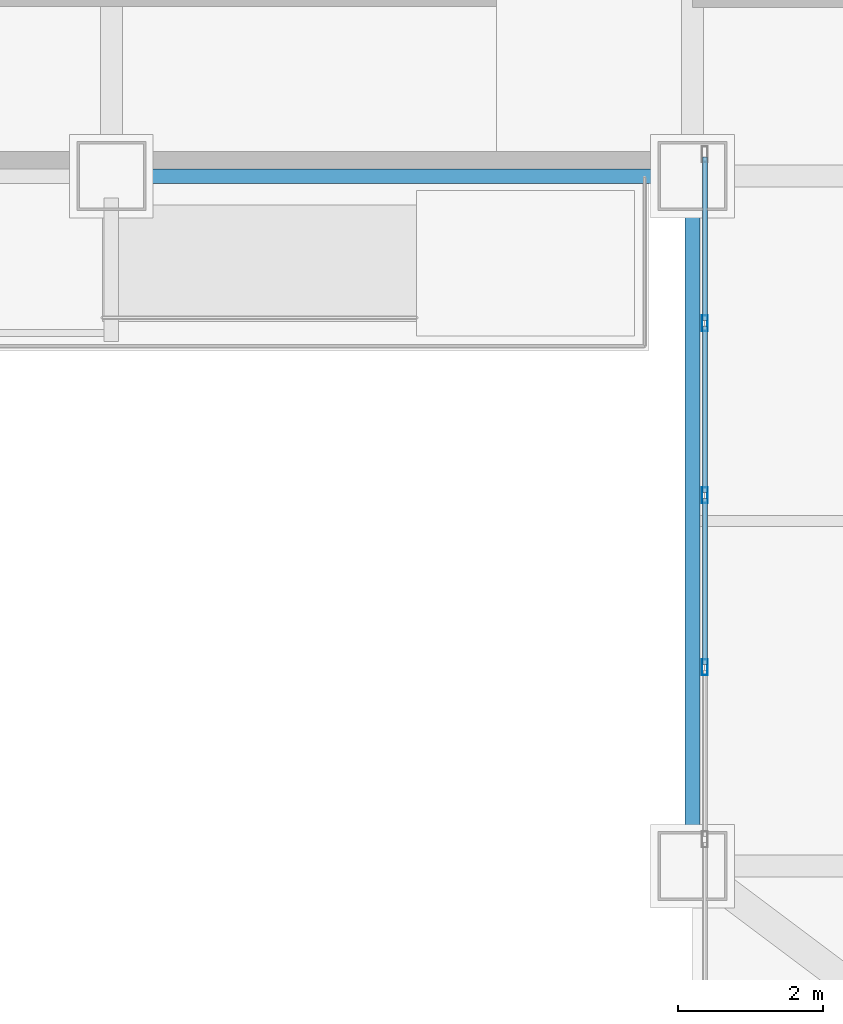
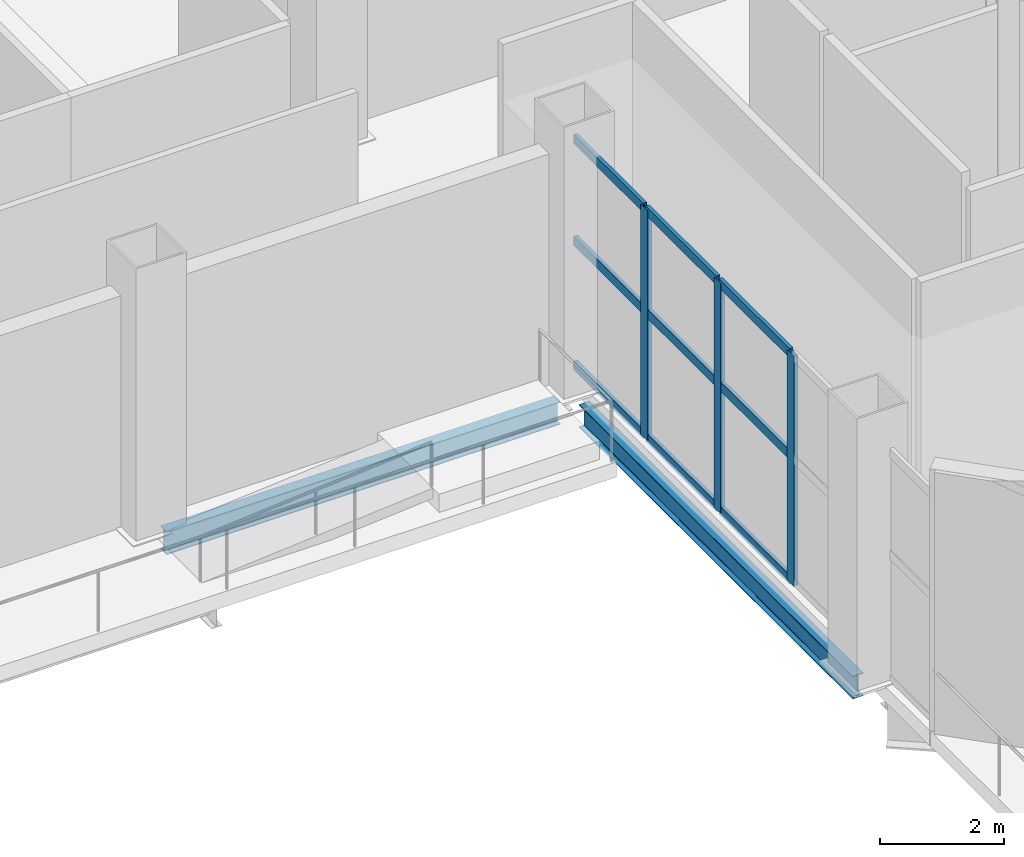
# One storey, part 7 of 21: 12 members, 2 beams, 1 element without a shape of its own.
"""IFC4 building model written with IfcOpenShell, lengths in metres."""

from ifc_helpers import new_model, si_unit, direction, frame, origin, origin_2d, place, context, subcontext, project, spatial, hollow_rectangle, i_section, extrude, material, layer, layer_set, material_profile, profile_set, type_object, element, aggregate, save


model = new_model("IFC4")

# Units and contexts
model_context = context("Model", 3, precision=1e-05, world=origin(), true_north=direction((0.0, 1.0)))
body_context = subcontext(model_context, "Body", "Model", "MODEL_VIEW")
ifc_project = project(units=[si_unit("LENGTHUNIT", "METRE"), si_unit("AREAUNIT", "SQUARE_METRE"), si_unit("VOLUMEUNIT", "CUBIC_METRE"), si_unit("PLANEANGLEUNIT", "RADIAN"), si_unit("MASSUNIT", "GRAM", prefix="KILO")], contexts=[model_context])

# Site, building, storey
site_placement = place(None, origin())
site = spatial("IfcSite", under=ifc_project, at=site_placement, CompositionType="ELEMENT")
building_placement = place(site_placement, origin())
building = spatial("IfcBuilding", under=site, at=building_placement, Name="Qianrong Seaharbour Tower", CompositionType="ELEMENT")
storey_placement = place(building_placement, frame((0.0, 0.0, 200.39990234375)))
storey = spatial("IfcBuildingStorey", under=building, at=storey_placement, Name="L48", CompositionType="ELEMENT", Elevation=200.39990234375)

# Beams
ifc_material_1 = material(Name="Structural steel SN400B", Category="steel")
ifc_material_profile_1 = material_profile(ifc_material_1, i_section(OverallWidth=0.199951171875, OverallDepth=0.449951171875, WebThickness=0.009033203125, FlangeThickness=0.013916015625, FilletRadius=0.01806640625, at=origin_2d()), Name="H450x200x9x14")
ifc_profile_set_1 = profile_set([ifc_material_profile_1], Name="Structural steel SN400B")
beam_type = type_object("IfcBeamType", Name="BM-SP-450", PredefinedType="SPANDREL", material=ifc_profile_set_1)
beam_1_placement = place(storey_placement, frame((32.820068359375, 28.0, -0.52490234375), z_axis=(1.0, 0.0, 0.0), x_axis=(0.0, 1.0, 0.0)))
element("IfcBeam", 1, at=beam_1_placement, inside=storey, type_object=beam_type, Name="L48 Spandrel Girder GE G5-G6", PredefinedType="SPANDREL", context=body_context, shape_type="SweptSolid", body=[
    extrude(i_section(OverallWidth=0.199951171875, OverallDepth=0.449951171875, WebThickness=0.009033203125, FlangeThickness=0.013916015625, FilletRadius=0.01806640625, at=origin_2d()), origin(), (0.0, 0.0, 1.0), 7.35986328125),
])
beam_2_placement = place(storey_placement, frame((40.5, 18.820068359375, -0.52490234375), z_axis=(0.0, 1.0, 0.0), x_axis=(-1.0, 0.0, 0.0)))
element("IfcBeam", 2, at=beam_2_placement, inside=storey, type_object=beam_type, Name="L48 Spandrel Girder G6 GD-GE", PredefinedType="SPANDREL", context=body_context, shape_type="SweptSolid", body=[
    extrude(i_section(OverallWidth=0.199951171875, OverallDepth=0.449951171875, WebThickness=0.009033203125, FlangeThickness=0.013916015625, FilletRadius=0.01806640625, at=origin_2d()), origin(), (0.0, 0.0, 1.0), 8.85986328125),
])

# Curtain wall, members
ifc_material_2 = material(Name="Anodised aluminium 6063-T6 and laminated low-e glass", Category="aluminium")
ifc_layer = layer(ifc_material_2, 0.2099609375)
ifc_layer_set = layer_set([ifc_layer], Name="Anodised aluminium 6063-T6 and laminated low-e glass")
curtain_wall_type = type_object("IfcCurtainWallType", Name="CW-SYS-2", PredefinedType="NOTDEFINED", material=ifc_layer_set)
curtain_wall_placement = place(storey_placement, origin())
curtain_wall = element("IfcCurtainWall", 3, at=curtain_wall_placement, inside=storey, type_object=curtain_wall_type, Name="L48 Sky-Lobby Feature Curtain Wall REENTRANT_WEST", PredefinedType="NOTDEFINED")
ifc_material_3 = material(Name="Extruded aluminium 6063-T6", Category="aluminium")
ifc_material_profile_2 = material_profile(ifc_material_3, hollow_rectangle(XDim=0.080078125, YDim=0.219970703125, WallThickness=0.0048828125, at=origin_2d()), Name="ALU-MUL-220x80x5")
ifc_profile_set_2 = profile_set([ifc_material_profile_2], Name="Extruded aluminium 6063-T6")
member_type_1 = type_object("IfcMemberType", Name="CW-MUL-220", PredefinedType="MULLION", material=ifc_profile_set_2)
member_1_placement = place(storey_placement, frame((40.669921875, 21.236083984375, 0.0), z_axis=(0.0, 0.0, 1.0), x_axis=(-1.0, 0.0, 0.0)))
member_1 = element("IfcMember", 4, at=member_1_placement, type_object=member_type_1, Name="CW-2 mullion 3", PredefinedType="MULLION", context=body_context, shape_type="SweptSolid", body=[
    extrude(hollow_rectangle(XDim=0.080078125, YDim=0.219970703125, WallThickness=0.0048828125, at=origin_2d()), origin(), (0.0, 0.0, 1.0), 4.547119140625),
])
member_2_placement = place(storey_placement, frame((40.669921875, 23.60400390625, 0.0), z_axis=(0.0, 0.0, 1.0), x_axis=(-1.0, 0.0, 0.0)))
member_2 = element("IfcMember", 5, at=member_2_placement, type_object=member_type_1, Name="CW-2 mullion 4", PredefinedType="MULLION", context=body_context, shape_type="SweptSolid", body=[
    extrude(hollow_rectangle(XDim=0.080078125, YDim=0.219970703125, WallThickness=0.0048828125, at=origin_2d()), origin(), (0.0, 0.0, 1.0), 4.547119140625),
])
member_3_placement = place(storey_placement, frame((40.669921875, 25.971923828125, 0.0), z_axis=(0.0, 0.0, 1.0), x_axis=(-1.0, 0.0, 0.0)))
member_3 = element("IfcMember", 6, at=member_3_placement, type_object=member_type_1, Name="CW-2 mullion 5", PredefinedType="MULLION", context=body_context, shape_type="SweptSolid", body=[
    extrude(hollow_rectangle(XDim=0.080078125, YDim=0.219970703125, WallThickness=0.0048828125, at=origin_2d()), origin(), (0.0, 0.0, 1.0), 4.547119140625),
])
ifc_material_profile_3 = material_profile(ifc_material_3, hollow_rectangle(XDim=0.070068359375, YDim=0.179931640625, WallThickness=0.00390625, at=origin_2d()), Name="ALU-TRN-180x70x4")
ifc_profile_set_3 = profile_set([ifc_material_profile_3], Name="Extruded aluminium 6063-T6")
member_type_2 = type_object("IfcMemberType", Name="CW-TRN-180", PredefinedType="USERDEFINED", material=ifc_profile_set_3)
member_4_placement = place(storey_placement, frame((40.669921875, 21.27587890625, 0.03515625), z_axis=(0.0, 1.0, 0.0), x_axis=(-1.0, 0.0, 0.0)))
member_4 = element("IfcMember", 7, at=member_4_placement, type_object=member_type_2, Name="CW-2 transom 3.1", ObjectType="TRANSOM", PredefinedType="USERDEFINED", context=body_context, shape_type="SweptSolid", body=[
    extrude(hollow_rectangle(XDim=0.070068359375, YDim=0.179931640625, WallThickness=0.00390625, at=origin_2d()), origin(), (0.0, 0.0, 1.0), 2.2880859375),
])
member_5_placement = place(storey_placement, frame((40.669921875, 21.27587890625, 2.5009765625), z_axis=(0.0, 1.0, 0.0), x_axis=(-1.0, 0.0, 0.0)))
member_5 = element("IfcMember", 8, at=member_5_placement, type_object=member_type_2, Name="CW-2 transom 3.2", ObjectType="TRANSOM", PredefinedType="USERDEFINED", context=body_context, shape_type="SweptSolid", body=[
    extrude(hollow_rectangle(XDim=0.070068359375, YDim=0.179931640625, WallThickness=0.00390625, at=origin_2d()), origin(), (0.0, 0.0, 1.0), 2.2880859375),
])
member_6_placement = place(storey_placement, frame((40.669921875, 21.27587890625, 4.51220703125), z_axis=(0.0, 1.0, 0.0), x_axis=(-1.0, 0.0, 0.0)))
member_6 = element("IfcMember", 9, at=member_6_placement, type_object=member_type_2, Name="CW-2 transom 3.3", ObjectType="TRANSOM", PredefinedType="USERDEFINED", context=body_context, shape_type="SweptSolid", body=[
    extrude(hollow_rectangle(XDim=0.070068359375, YDim=0.179931640625, WallThickness=0.00390625, at=origin_2d()), origin(), (0.0, 0.0, 1.0), 2.2880859375),
])
member_7_placement = place(storey_placement, frame((40.669921875, 23.64404296875, 0.03515625), z_axis=(0.0, 1.0, 0.0), x_axis=(-1.0, 0.0, 0.0)))
member_7 = element("IfcMember", 10, at=member_7_placement, type_object=member_type_2, Name="CW-2 transom 4.1", ObjectType="TRANSOM", PredefinedType="USERDEFINED", context=body_context, shape_type="SweptSolid", body=[
    extrude(hollow_rectangle(XDim=0.070068359375, YDim=0.179931640625, WallThickness=0.00390625, at=origin_2d()), origin(), (0.0, 0.0, 1.0), 2.287841796875),
])
member_8_placement = place(storey_placement, frame((40.669921875, 23.64404296875, 2.5009765625), z_axis=(0.0, 1.0, 0.0), x_axis=(-1.0, 0.0, 0.0)))
member_8 = element("IfcMember", 11, at=member_8_placement, type_object=member_type_2, Name="CW-2 transom 4.2", ObjectType="TRANSOM", PredefinedType="USERDEFINED", context=body_context, shape_type="SweptSolid", body=[
    extrude(hollow_rectangle(XDim=0.070068359375, YDim=0.179931640625, WallThickness=0.00390625, at=origin_2d()), origin(), (0.0, 0.0, 1.0), 2.287841796875),
])
member_9_placement = place(storey_placement, frame((40.669921875, 23.64404296875, 4.51220703125), z_axis=(0.0, 1.0, 0.0), x_axis=(-1.0, 0.0, 0.0)))
member_9 = element("IfcMember", 12, at=member_9_placement, type_object=member_type_2, Name="CW-2 transom 4.3", ObjectType="TRANSOM", PredefinedType="USERDEFINED", context=body_context, shape_type="SweptSolid", body=[
    extrude(hollow_rectangle(XDim=0.070068359375, YDim=0.179931640625, WallThickness=0.00390625, at=origin_2d()), origin(), (0.0, 0.0, 1.0), 2.287841796875),
])
member_10_placement = place(storey_placement, frame((40.669921875, 26.011962890625, 0.03515625), z_axis=(0.0, 1.0, 0.0), x_axis=(-1.0, 0.0, 0.0)))
member_10 = element("IfcMember", 13, at=member_10_placement, type_object=member_type_2, Name="CW-2 transom 5.1", ObjectType="TRANSOM", PredefinedType="USERDEFINED", context=body_context, shape_type="SweptSolid", body=[
    extrude(hollow_rectangle(XDim=0.070068359375, YDim=0.179931640625, WallThickness=0.00390625, at=origin_2d()), origin(), (0.0, 0.0, 1.0), 2.248046875),
])
member_11_placement = place(storey_placement, frame((40.669921875, 26.011962890625, 2.5009765625), z_axis=(0.0, 1.0, 0.0), x_axis=(-1.0, 0.0, 0.0)))
member_11 = element("IfcMember", 14, at=member_11_placement, type_object=member_type_2, Name="CW-2 transom 5.2", ObjectType="TRANSOM", PredefinedType="USERDEFINED", context=body_context, shape_type="SweptSolid", body=[
    extrude(hollow_rectangle(XDim=0.070068359375, YDim=0.179931640625, WallThickness=0.00390625, at=origin_2d()), origin(), (0.0, 0.0, 1.0), 2.248046875),
])
member_12_placement = place(storey_placement, frame((40.669921875, 26.011962890625, 4.51220703125), z_axis=(0.0, 1.0, 0.0), x_axis=(-1.0, 0.0, 0.0)))
member_12 = element("IfcMember", 15, at=member_12_placement, type_object=member_type_2, Name="CW-2 transom 5.3", ObjectType="TRANSOM", PredefinedType="USERDEFINED", context=body_context, shape_type="SweptSolid", body=[
    extrude(hollow_rectangle(XDim=0.070068359375, YDim=0.179931640625, WallThickness=0.00390625, at=origin_2d()), origin(), (0.0, 0.0, 1.0), 2.248046875),
])
aggregate(curtain_wall, [member_1, member_2, member_3, member_4, member_5, member_6, member_7, member_8, member_9, member_10, member_11, member_12])

save(model, "model.ifc")
